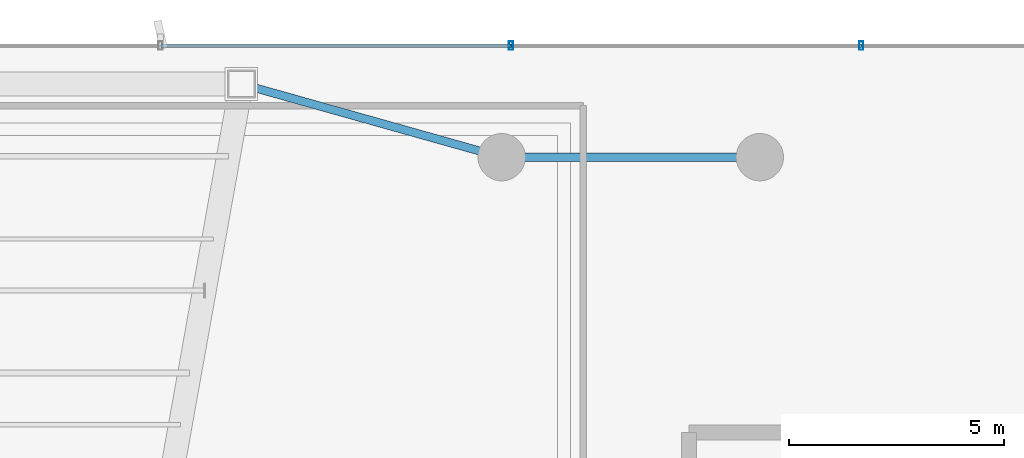
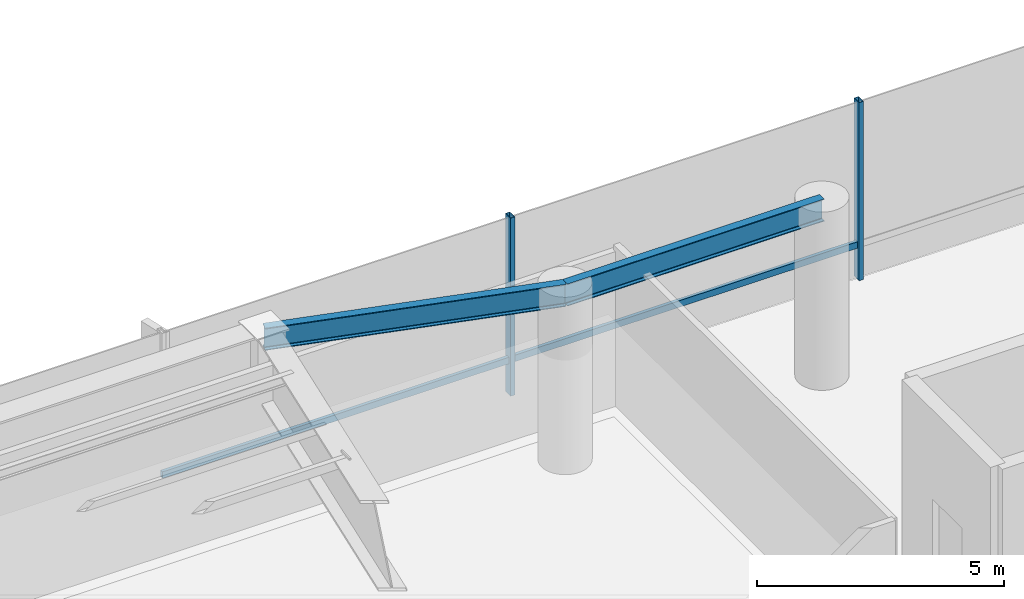
# One storey, part 10 of 22: 4 members, 2 beams, 1 element without a shape of its own.
"""IFC4 building model written with IfcOpenShell, lengths in metres."""

from ifc_helpers import new_model, si_unit, direction, frame, origin, origin_2d, place, context, subcontext, project, spatial, hollow_rectangle, i_section, extrude, source, transform, mapped, material, material_profile, profile_set, type_object, element, aggregate, save


model = new_model("IFC4")

# Units and contexts
model_context = context("Model", 3, precision=1e-05, world=origin(), true_north=direction((0.0, 1.0)))
body_context = subcontext(model_context, "Body", "Model", "MODEL_VIEW")
ifc_project = project(units=[si_unit("LENGTHUNIT", "METRE"), si_unit("AREAUNIT", "SQUARE_METRE"), si_unit("VOLUMEUNIT", "CUBIC_METRE"), si_unit("PLANEANGLEUNIT", "RADIAN"), si_unit("MASSUNIT", "GRAM", prefix="KILO")], contexts=[model_context])

# Site, building, storey
site_placement = place(None, origin())
site = spatial("IfcSite", under=ifc_project, at=site_placement, CompositionType="ELEMENT")
building_placement = place(site_placement, origin())
building = spatial("IfcBuilding", under=site, at=building_placement, Name="Sahyath Konkavel Grand Hotel", CompositionType="ELEMENT")
storey_placement = place(building_placement, frame((0.0, 0.0, 9.300048828125)))
storey = spatial("IfcBuildingStorey", under=building, at=storey_placement, Name="L02", CompositionType="ELEMENT", Elevation=9.300048828125)

# Beams
ifc_material_1 = material(Name="Steel E350", Category="steel")
ifc_material_profile_1 = material_profile(ifc_material_1, i_section(OverallWidth=0.18994140625, OverallDepth=0.550048828125, WebThickness=0.01123046875, FlangeThickness=0.019287109375, FilletRadius=0.01806640625, at=origin_2d()), Name="ISMB 550")
ifc_profile_set_1 = profile_set([ifc_material_profile_1], Name="Steel E350")
beam_type = type_object("IfcBeamType", Name="BM-ISMB550", PredefinedType="BEAM", material=ifc_profile_set_1)
shared_shape_1 = source(origin(), body_context, "Body", "SweptSolid", [
    extrude(i_section(OverallWidth=0.18994140625, OverallDepth=0.550048828125, WebThickness=0.01123046875, FlangeThickness=0.019287109375, FilletRadius=0.01806640625, at=origin_2d()), origin(), (0.0, 0.0, 1.0), 6.0),
])
beam_1_placement = place(storey_placement, frame((12.0, 20.5, 4.125), z_axis=(1.0, 0.0, 0.0), x_axis=(0.0, 1.0, 0.0)))
element("IfcBeam", 1, at=beam_1_placement, inside=storey, type_object=beam_type, Name="str:bm:L02:POD-04", PredefinedType="BEAM", context=body_context, shape_type="MappedRepresentation", body=[
    mapped(shared_shape_1, transform((0.0, 0.0, 0.0), scale=1.0)),
])
shared_shape_2 = source(origin(), body_context, "Body", "SweptSolid", [
    extrude(i_section(OverallWidth=0.18994140625, OverallDepth=0.550048828125, WebThickness=0.01123046875, FlangeThickness=0.019287109375, FilletRadius=0.01806640625, at=origin_2d()), origin(), (0.0, 0.0, 1.0), 6.284423828125),
])
beam_2_placement = place(storey_placement, frame((5.949951171875, 22.199951171875, 4.125), z_axis=(0.962718307277, -0.270505934933, 0.0), x_axis=(0.270505934933, 0.962718307277, 0.0)))
element("IfcBeam", 2, at=beam_2_placement, inside=storey, type_object=beam_type, Name="str:bm:L02:POD-03", PredefinedType="BEAM", context=body_context, shape_type="MappedRepresentation", body=[
    mapped(shared_shape_2, transform((0.0, 0.0, 0.0), scale=1.0)),
])

# Curtain wall, members
ifc_material_2 = material(Name="Anodised Bronze Aluminium & Low-E Glazing", Category="aluminium")
curtain_wall_type = type_object("IfcCurtainWallType", Name="CW-PODIUM", PredefinedType="NOTDEFINED", material=ifc_material_2)
curtain_wall_placement = place(storey_placement, origin())
curtain_wall = element("IfcCurtainWall", 3, at=curtain_wall_placement, inside=storey, type_object=curtain_wall_type, Name="L02 Unitised Curtain Wall N", PredefinedType="NOTDEFINED")
ifc_material_3 = material(Name="Anodised Bronze Aluminium", Category="aluminium")
ifc_material_profile_2 = material_profile(ifc_material_3, hollow_rectangle(XDim=0.10009765625, YDim=0.199951171875, WallThickness=0.008056640625, at=origin_2d()), Name="RHS 200x100x8")
ifc_profile_set_2 = profile_set([ifc_material_profile_2], Name="Anodised Bronze Aluminium")
member_type_1 = type_object("IfcMemberType", Name="CW-MUL-200", PredefinedType="MULLION", material=ifc_profile_set_2)
shared_shape_3 = source(origin(), body_context, "Body", "SweptSolid", [
    extrude(hollow_rectangle(XDim=0.10009765625, YDim=0.199951171875, WallThickness=0.008056640625, at=origin_2d()), origin(), (0.0, 0.0, 1.0), 4.39990234375),
])
member_1_placement = place(storey_placement, frame((20.35791015625, 23.092041015625, 0.0), z_axis=(0.0, 0.0, 1.0), x_axis=(1.0, 0.0, 0.0)))
member_1 = element("IfcMember", 4, at=member_1_placement, type_object=member_type_1, Name="L02 Curtain Wall Mullion N-1", PredefinedType="MULLION", context=body_context, shape_type="MappedRepresentation", body=[
    mapped(shared_shape_3, transform((0.0, 0.0, 0.0), scale=1.0)),
])
member_2_placement = place(storey_placement, frame((12.214599609375, 23.092041015625, 0.0), z_axis=(0.0, 0.0, 1.0), x_axis=(1.0, 0.0, 0.0)))
member_2 = element("IfcMember", 5, at=member_2_placement, type_object=member_type_1, Name="L02 Curtain Wall Mullion N-2", PredefinedType="MULLION", context=body_context, shape_type="MappedRepresentation", body=[
    mapped(shared_shape_3, transform((0.0, 0.0, 0.0), scale=1.0)),
])
ifc_material_profile_3 = material_profile(ifc_material_3, hollow_rectangle(XDim=0.080078125, YDim=0.159912109375, WallThickness=0.006103515625, at=origin_2d()), Name="RHS 160x80x6")
ifc_profile_set_3 = profile_set([ifc_material_profile_3], Name="Anodised Bronze Aluminium")
member_type_2 = type_object("IfcMemberType", Name="CW-TRN-160", PredefinedType="USERDEFINED", material=ifc_profile_set_3)
shared_shape_4 = source(origin(), body_context, "Body", "SweptSolid", [
    extrude(hollow_rectangle(XDim=0.080078125, YDim=0.159912109375, WallThickness=0.006103515625, at=origin_2d()), origin(), (0.0, 0.0, 1.0), 8.14306640625),
])
member_3_placement = place(storey_placement, frame((12.214599609375, 23.092041015625, 0.849853515625), z_axis=(-1.0, 0.0, 0.0), x_axis=(0.0, -1.0, 0.0)))
member_3 = element("IfcMember", 6, at=member_3_placement, type_object=member_type_2, Name="L02 Curtain Wall Transom N-2-spandrel", ObjectType="TRANSOM", PredefinedType="USERDEFINED", context=body_context, shape_type="MappedRepresentation", body=[
    mapped(shared_shape_4, transform((0.0, 0.0, 0.0), scale=1.0)),
])
shared_shape_5 = source(origin(), body_context, "Body", "SweptSolid", [
    extrude(hollow_rectangle(XDim=0.080078125, YDim=0.159912109375, WallThickness=0.006103515625, at=origin_2d()), origin(), (0.0, 0.0, 1.0), 8.143310546875),
])
member_4_placement = place(storey_placement, frame((20.35791015625, 23.092041015625, 0.849853515625), z_axis=(-1.0, 0.0, 0.0), x_axis=(0.0, -1.0, 0.0)))
member_4 = element("IfcMember", 7, at=member_4_placement, type_object=member_type_2, Name="L02 Curtain Wall Transom N-1-spandrel", ObjectType="TRANSOM", PredefinedType="USERDEFINED", context=body_context, shape_type="MappedRepresentation", body=[
    mapped(shared_shape_5, transform((0.0, 0.0, 0.0), scale=1.0)),
])
aggregate(curtain_wall, [member_1, member_2, member_4, member_3])

save(model, "model.ifc")
